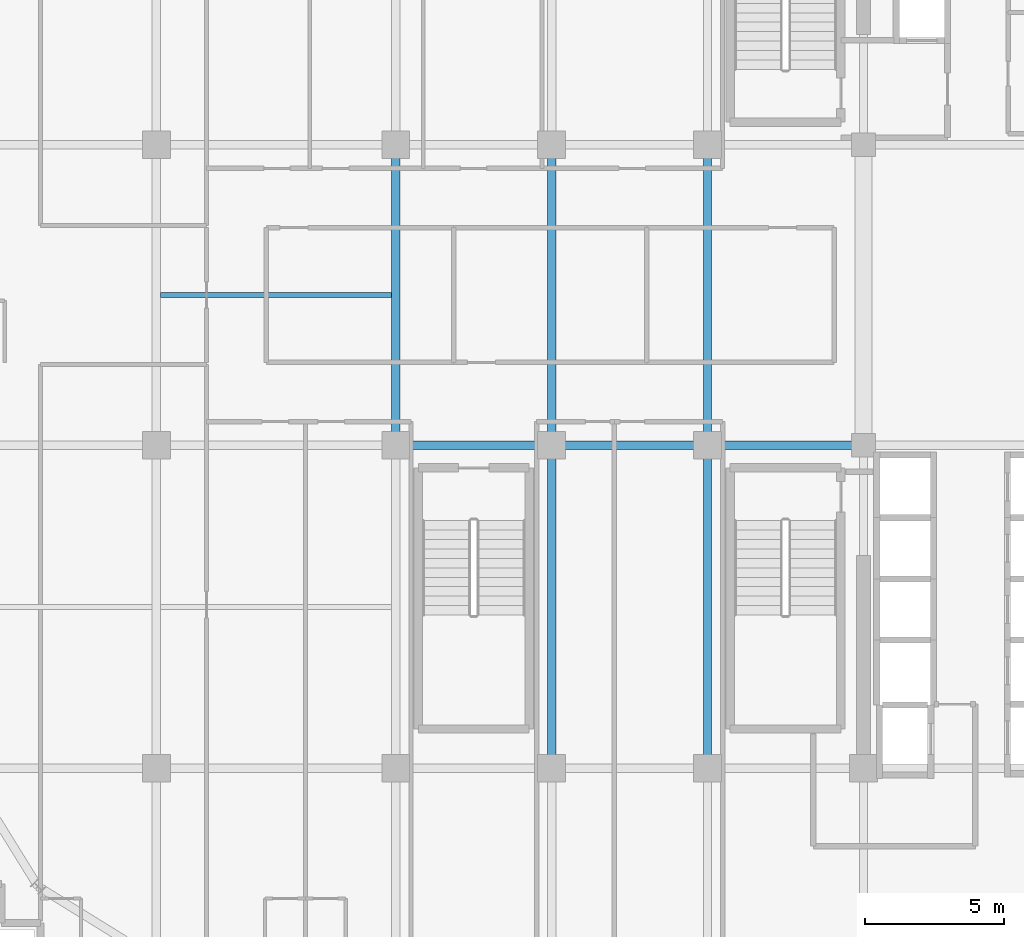
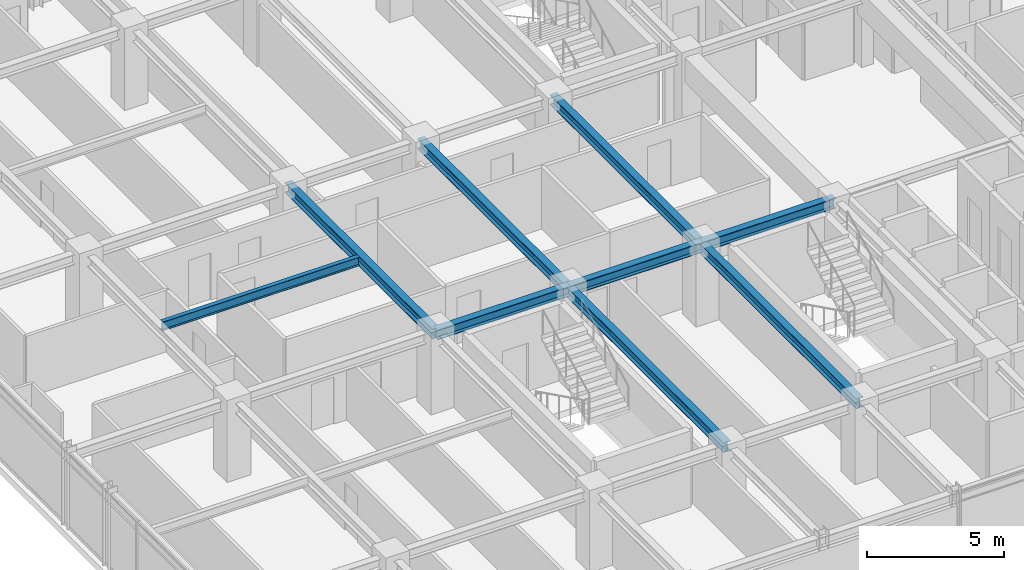
# One storey, part 11 of 34: 9 beams.
"""IFC4 building model written with IfcOpenShell, lengths in metres."""

from ifc_helpers import new_model, si_unit, direction, frame, origin, origin_2d, place, context, subcontext, project, spatial, i_section, extrude, source, transform, mapped, material, material_profile, profile_set, type_object, element, save


model = new_model("IFC4")

# Units and contexts
model_context = context("Model", 3, precision=1e-05, world=origin(), true_north=direction((0.0, 1.0)))
body_context = subcontext(model_context, "Body", "Model", "MODEL_VIEW")
ifc_project = project(units=[si_unit("LENGTHUNIT", "METRE"), si_unit("AREAUNIT", "SQUARE_METRE"), si_unit("VOLUMEUNIT", "CUBIC_METRE"), si_unit("PLANEANGLEUNIT", "RADIAN"), si_unit("MASSUNIT", "GRAM", prefix="KILO")], contexts=[model_context])

# Site, building, storey
site_placement = place(None, origin())
site = spatial("IfcSite", under=ifc_project, at=site_placement, CompositionType="ELEMENT")
building_placement = place(site_placement, origin())
building = spatial("IfcBuilding", under=site, at=building_placement, Name="Nahalor Promenade Grand Hotel", CompositionType="ELEMENT")
storey_placement = place(building_placement, frame((0.0, 0.0, 208.60009765625)))
storey = spatial("IfcBuildingStorey", under=building, at=storey_placement, Name="L53", CompositionType="ELEMENT", Elevation=208.60009765625)

# Beams
ifc_material = material(Name="Steel S355JR", Category="steel")
ifc_material_profile_1 = material_profile(ifc_material, i_section(OverallWidth=0.3, OverallDepth=0.45, WebThickness=0.014, FlangeThickness=0.026, at=origin_2d()), Name="HEB 450")
ifc_profile_set_1 = profile_set([ifc_material_profile_1], Name="Steel S355JR")
beam_type_1 = type_object("IfcBeamType", Name="Beam-Girder-HEB450", PredefinedType="BEAM", material=ifc_profile_set_1)
shared_shape_1 = source(origin(), body_context, "Body", "SweptSolid", [
    extrude(i_section(OverallWidth=0.3, OverallDepth=0.45, WebThickness=0.014, FlangeThickness=0.026, at=origin_2d()), origin(), (0.0, 0.0, 1.0), 5.599853515625),
])
for number, where, z_axis, x_axis, name in (
    (1, (-8.39990234375, -5.39990234375, 3.184814453125), (1.0, 0.0, 0.0), (0.0, 1.0, 0.0), "BM-L53-GX-1-2"),
    (2, (2.800048828125, -5.39990234375, 3.184814453125), (1.0, 0.0, 0.0), (0.0, 1.0, 0.0), "BM-L53-GX-1-4"),
):
    element("IfcBeam", number, at=place(storey_placement, frame(where, z_axis=z_axis, x_axis=x_axis)), inside=storey, type_object=beam_type_1, Name=name, PredefinedType="BEAM", context=body_context, shape_type="MappedRepresentation", body=[
        mapped(shared_shape_1, transform((0.0, 0.0, 0.0), scale=1.0)),
    ])
shared_shape_2 = source(origin(), body_context, "Body", "SweptSolid", [
    extrude(i_section(OverallWidth=0.3, OverallDepth=0.45, WebThickness=0.014, FlangeThickness=0.026, at=origin_2d()), origin(), (0.0, 0.0, 1.0), 5.60009765625),
])
beam_1_placement = place(storey_placement, frame((-2.800048828125, -5.39990234375, 3.184814453125), z_axis=(1.0, 0.0, 0.0), x_axis=(0.0, 1.0, 0.0)))
element("IfcBeam", 3, at=beam_1_placement, inside=storey, type_object=beam_type_1, Name="BM-L53-GX-1-3", PredefinedType="BEAM", context=body_context, shape_type="MappedRepresentation", body=[
    mapped(shared_shape_2, transform((0.0, 0.0, 0.0), scale=1.0)),
])
shared_shape_3 = source(origin(), body_context, "Body", "SweptSolid", [
    extrude(i_section(OverallWidth=0.3, OverallDepth=0.45, WebThickness=0.014, FlangeThickness=0.026, at=origin_2d()), origin(), (0.0, 0.0, 1.0), 11.60009765625),
])
for number, where, z_axis, x_axis, name in (
    (4, (-2.800048828125, -17.0, 3.184814453125), (0.0, 1.0, 0.0), (-1.0, 0.0, 0.0), "BM-L53-GY-2-1"),
    (5, (2.800048828125, -17.0, 3.184814453125), (0.0, 1.0, 0.0), (-1.0, 0.0, 0.0), "BM-L53-GY-3-1"),
):
    element("IfcBeam", number, at=place(storey_placement, frame(where, z_axis=z_axis, x_axis=x_axis)), inside=storey, type_object=beam_type_1, Name=name, PredefinedType="BEAM", context=body_context, shape_type="MappedRepresentation", body=[
        mapped(shared_shape_3, transform((0.0, 0.0, 0.0), scale=1.0)),
    ])
shared_shape_4 = source(origin(), body_context, "Body", "SweptSolid", [
    extrude(i_section(OverallWidth=0.3, OverallDepth=0.45, WebThickness=0.014, FlangeThickness=0.026, at=origin_2d()), origin(), (0.0, 0.0, 1.0), 10.7998046875),
])
for number, where, z_axis, x_axis, name in (
    (6, (-8.39990234375, -5.39990234375, 3.184814453125), (0.0, 1.0, 0.0), (-1.0, 0.0, 0.0), "BM-L53-GY-1-2"),
    (7, (-2.800048828125, -5.39990234375, 3.184814453125), (0.0, 1.0, 0.0), (-1.0, 0.0, 0.0), "BM-L53-GY-2-2"),
    (8, (2.800048828125, -5.39990234375, 3.184814453125), (0.0, 1.0, 0.0), (-1.0, 0.0, 0.0), "BM-L53-GY-3-2"),
):
    element("IfcBeam", number, at=place(storey_placement, frame(where, z_axis=z_axis, x_axis=x_axis)), inside=storey, type_object=beam_type_1, Name=name, PredefinedType="BEAM", context=body_context, shape_type="MappedRepresentation", body=[
        mapped(shared_shape_4, transform((0.0, 0.0, 0.0), scale=1.0)),
    ])
ifc_material_profile_2 = material_profile(ifc_material, i_section(OverallWidth=0.18, OverallDepth=0.4, WebThickness=0.0086, FlangeThickness=0.0135, at=origin_2d()), Name="IPE 400")
ifc_profile_set_2 = profile_set([ifc_material_profile_2], Name="Steel S355JR")
beam_type_2 = type_object("IfcBeamType", Name="Beam-Joist-IPE400", PredefinedType="JOIST", material=ifc_profile_set_2)
shared_shape_5 = source(origin(), body_context, "Body", "SweptSolid", [
    extrude(i_section(OverallWidth=0.18, OverallDepth=0.4, WebThickness=0.0086, FlangeThickness=0.0135, at=origin_2d()), origin(), (0.0, 0.0, 1.0), 8.300048828125),
])
beam_2_placement = place(storey_placement, frame((-16.85009765625, 0.0, 3.2099609375), z_axis=(1.0, 0.0, 0.0), x_axis=(0.0, 1.0, 0.0)))
element("IfcBeam", 9, at=beam_2_placement, inside=storey, type_object=beam_type_2, Name="BM-L53-JSC-0", PredefinedType="JOIST", context=body_context, shape_type="MappedRepresentation", body=[
    mapped(shared_shape_5, transform((0.0, 0.0, 0.0), scale=1.0)),
])

save(model, "model.ifc")
